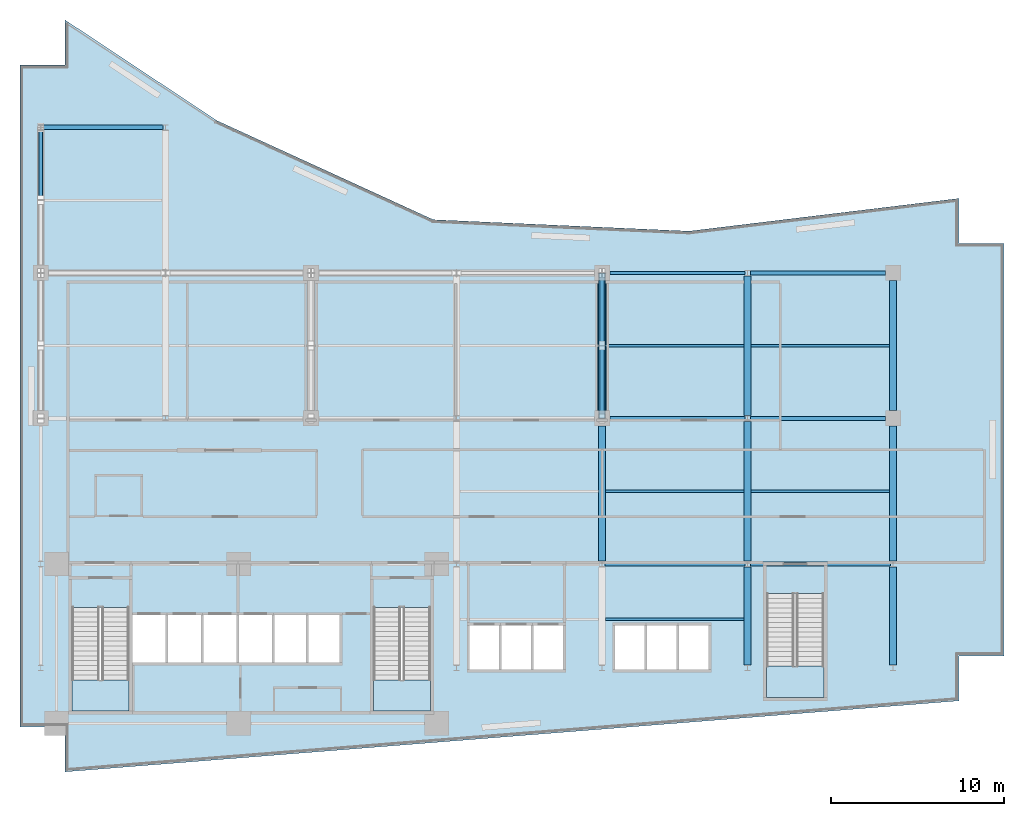
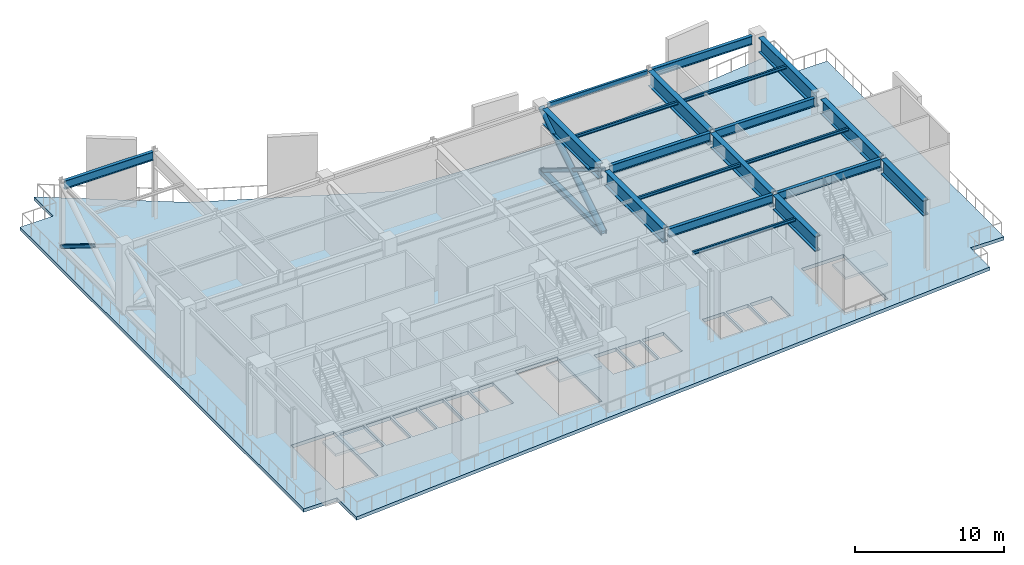
# One storey, part 4 of 14: 20 beams, 5 members, 4 slabs, 3 elements without a shape of their own.
"""IFC4 building model written with IfcOpenShell, lengths in metres."""

from ifc_helpers import new_model, si_unit, direction, frame, origin, origin_2d, place, context, subcontext, project, spatial, polyline, hollow_rectangle, hollow_circle, i_section, outline, extrude, material, layer, layer_set, material_profile, profile_set, type_object, element, aggregate, save


model = new_model("IFC4")

# Units and contexts
model_context = context("Model", 3, precision=1e-05, world=origin(), true_north=direction((0.0, 1.0)))
body_context = subcontext(model_context, "Body", "Model", "MODEL_VIEW")
ifc_project = project(units=[si_unit("LENGTHUNIT", "METRE"), si_unit("AREAUNIT", "SQUARE_METRE"), si_unit("VOLUMEUNIT", "CUBIC_METRE"), si_unit("PLANEANGLEUNIT", "RADIAN"), si_unit("MASSUNIT", "GRAM", prefix="KILO")], contexts=[model_context])

# Site, building, storey
site_placement = place(None, origin())
site = spatial("IfcSite", under=ifc_project, at=site_placement, CompositionType="ELEMENT")
building_placement = place(site_placement, origin())
building = spatial("IfcBuilding", under=site, at=building_placement, Name="Varnakote Quay Hospital", CompositionType="ELEMENT")
storey_placement = place(building_placement, frame((0.0, 0.0, 97.550048828125)))
storey = spatial("IfcBuildingStorey", under=building, at=storey_placement, Name="L24", CompositionType="ELEMENT", Elevation=97.550048828125)

# Beams
ifc_material_1 = material(Name="Structural steel AS/NZS 3678 Grade 350 (fy 340 MPa)", Category="steel")
ifc_material_profile_1 = material_profile(ifc_material_1, i_section(OverallWidth=0.39990234375, OverallDepth=1.2099609375, WebThickness=0.01611328125, FlangeThickness=0.0400390625, at=origin_2d()), Name="1200WB392")
ifc_profile_set_1 = profile_set([ifc_material_profile_1], Name="Structural steel AS/NZS 3678 Grade 350 (fy 340 MPa)")
beam_type_1 = type_object("IfcBeamType", Name="BM-STL-1200WB392", PredefinedType="BEAM", material=ifc_profile_set_1)
beam_1_placement = place(storey_placement, frame((33.60009765625, 12.16357421875, 4.954833984375), z_axis=(0.0, 1.0, 0.0), x_axis=(-1.0, 0.0, 0.0)))
element("IfcBeam", 1, at=beam_1_placement, inside=storey, type_object=beam_type_1, Name="L24 Primary Tie Beam", PredefinedType="BEAM", context=body_context, shape_type="SweptSolid", body=[
    extrude(i_section(OverallWidth=0.39990234375, OverallDepth=1.2099609375, WebThickness=0.01611328125, FlangeThickness=0.0400390625, at=origin_2d()), origin(), (0.0, 0.0, 1.0), 7.786376953125),
])
beam_2_placement = place(storey_placement, frame((33.60009765625, 20.85009765625, 4.954833984375), z_axis=(0.0, 1.0, 0.0), x_axis=(-1.0, 0.0, 0.0)))
element("IfcBeam", 2, at=beam_2_placement, inside=storey, type_object=beam_type_1, Name="L24 Primary Tie Beam", PredefinedType="BEAM", context=body_context, shape_type="SweptSolid", body=[
    extrude(i_section(OverallWidth=0.39990234375, OverallDepth=1.2099609375, WebThickness=0.01611328125, FlangeThickness=0.0400390625, at=origin_2d()), origin(), (0.0, 0.0, 1.0), 7.5),
])
beam_3_placement = place(storey_placement, frame((42.0, 6.16357421875, 4.954833984375), z_axis=(0.0, 1.0, 0.0), x_axis=(-1.0, 0.0, 0.0)))
element("IfcBeam", 3, at=beam_3_placement, inside=storey, type_object=beam_type_1, Name="L24 Primary Tie Beam", PredefinedType="BEAM", context=body_context, shape_type="SweptSolid", body=[
    extrude(i_section(OverallWidth=0.39990234375, OverallDepth=1.2099609375, WebThickness=0.01611328125, FlangeThickness=0.0400390625, at=origin_2d()), origin(), (0.0, 0.0, 1.0), 5.6728515625),
])
for number, where, z_axis, x_axis, name in (
    (4, (42.0, 12.16357421875, 4.954833984375), (0.0, 1.0, 0.0), (-1.0, 0.0, 0.0), "L24 Primary Tie Beam"),
    (5, (42.0, 20.5634765625, 4.954833984375), (0.0, 1.0, 0.0), (-1.0, 0.0, 0.0), "L24 Primary Tie Beam"),
):
    element("IfcBeam", number, at=place(storey_placement, frame(where, z_axis=z_axis, x_axis=x_axis)), inside=storey, type_object=beam_type_1, Name=name, PredefinedType="BEAM", context=body_context, shape_type="SweptSolid", body=[
        extrude(i_section(OverallWidth=0.39990234375, OverallDepth=1.2099609375, WebThickness=0.01611328125, FlangeThickness=0.0400390625, at=origin_2d()), origin(), (0.0, 0.0, 1.0), 8.072998046875),
    ])
beam_4_placement = place(storey_placement, frame((50.39990234375, 6.16357421875, 4.954833984375), z_axis=(0.0, 1.0, 0.0), x_axis=(-1.0, 0.0, 0.0)))
element("IfcBeam", 6, at=beam_4_placement, inside=storey, type_object=beam_type_1, Name="L24 Primary Tie Beam", PredefinedType="BEAM", context=body_context, shape_type="SweptSolid", body=[
    extrude(i_section(OverallWidth=0.39990234375, OverallDepth=1.2099609375, WebThickness=0.01611328125, FlangeThickness=0.0400390625, at=origin_2d()), origin(), (0.0, 0.0, 1.0), 5.6728515625),
])
beam_5_placement = place(storey_placement, frame((50.39990234375, 12.16357421875, 4.954833984375), z_axis=(0.0, 1.0, 0.0), x_axis=(-1.0, 0.0, 0.0)))
element("IfcBeam", 7, at=beam_5_placement, inside=storey, type_object=beam_type_1, Name="L24 Primary Tie Beam", PredefinedType="BEAM", context=body_context, shape_type="SweptSolid", body=[
    extrude(i_section(OverallWidth=0.39990234375, OverallDepth=1.2099609375, WebThickness=0.01611328125, FlangeThickness=0.0400390625, at=origin_2d()), origin(), (0.0, 0.0, 1.0), 7.786376953125),
])
beam_6_placement = place(storey_placement, frame((50.39990234375, 20.85009765625, 4.954833984375), z_axis=(0.0, 1.0, 0.0), x_axis=(-1.0, 0.0, 0.0)))
element("IfcBeam", 8, at=beam_6_placement, inside=storey, type_object=beam_type_1, Name="L24 Primary Tie Beam", PredefinedType="BEAM", context=body_context, shape_type="SweptSolid", body=[
    extrude(i_section(OverallWidth=0.39990234375, OverallDepth=1.2099609375, WebThickness=0.01611328125, FlangeThickness=0.0400390625, at=origin_2d()), origin(), (0.0, 0.0, 1.0), 7.5),
])
ifc_material_2 = material(Name="Structural steel AS/NZS 3678 Grade 350 (fy 340 MPa)", Category="steel")
ifc_material_profile_2 = material_profile(ifc_material_2, i_section(OverallWidth=0.25, OverallDepth=0.699951171875, WebThickness=0.010009765625, FlangeThickness=0.02001953125, at=origin_2d()), Name="700WB130")
ifc_profile_set_2 = profile_set([ifc_material_profile_2], Name="Structural steel AS/NZS 3678 Grade 350 (fy 340 MPa)")
beam_type_2 = type_object("IfcBeamType", Name="BM-STL-700WB130", PredefinedType="BEAM", material=ifc_profile_set_2)
for number, where, z_axis, x_axis, name in (
    (9, (33.755615234375, 12.0, 5.2099609375), (1.0, 0.0, 0.0), (0.0, 1.0, 0.0), "L24 Primary Floor Beam"),
    (10, (42.155517578125, 12.0, 5.2099609375), (1.0, 0.0, 0.0), (0.0, 1.0, 0.0), "L24 Primary Floor Beam"),
):
    element("IfcBeam", number, at=place(storey_placement, frame(where, z_axis=z_axis, x_axis=x_axis)), inside=storey, type_object=beam_type_2, Name=name, PredefinedType="BEAM", context=body_context, shape_type="SweptSolid", body=[
        extrude(i_section(OverallWidth=0.25, OverallDepth=0.699951171875, WebThickness=0.010009765625, FlangeThickness=0.02001953125, at=origin_2d()), origin(), (0.0, 0.0, 1.0), 8.0888671875),
    ])
for number, where, z_axis, x_axis, name in (
    (11, (34.050048828125, 20.39990234375, 5.2099609375), (1.0, 0.0, 0.0), (0.0, 1.0, 0.0), "L24 Primary Floor Beam"),
    (12, (42.155517578125, 20.39990234375, 5.2099609375), (1.0, 0.0, 0.0), (0.0, 1.0, 0.0), "L24 Primary Floor Beam"),
    (13, (42.155517578125, 28.800048828125, 5.2099609375), (1.0, 0.0, 0.0), (0.0, 1.0, 0.0), "L24 Primary Floor Beam"),
):
    element("IfcBeam", number, at=place(storey_placement, frame(where, z_axis=z_axis, x_axis=x_axis)), inside=storey, type_object=beam_type_2, Name=name, PredefinedType="BEAM", context=body_context, shape_type="SweptSolid", body=[
        extrude(i_section(OverallWidth=0.25, OverallDepth=0.699951171875, WebThickness=0.010009765625, FlangeThickness=0.02001953125, at=origin_2d()), origin(), (0.0, 0.0, 1.0), 7.79443359375),
    ])
beam_7_placement = place(storey_placement, frame((1.35546875, 37.199951171875, 5.2099609375), z_axis=(1.0, 0.0, 0.0), x_axis=(0.0, 1.0, 0.0)))
element("IfcBeam", 14, at=beam_7_placement, inside=storey, type_object=beam_type_2, Name="L24 Primary Floor Beam", PredefinedType="BEAM", context=body_context, shape_type="SweptSolid", body=[
    extrude(i_section(OverallWidth=0.25, OverallDepth=0.699951171875, WebThickness=0.010009765625, FlangeThickness=0.02001953125, at=origin_2d()), origin(), (0.0, 0.0, 1.0), 6.888916015625),
])
ifc_material_3 = material(Name="Structural steel AS/NZS 3679.1 Grade 350 L0 (fy 340 MPa)", Category="steel")
ifc_material_profile_3 = material_profile(ifc_material_3, i_section(OverallWidth=0.14599609375, OverallDepth=0.256103515625, WebThickness=0.00634765625, FlangeThickness=0.010986328125, FilletRadius=0.0087890625, at=origin_2d()), Name="250UB37.3")
ifc_profile_set_3 = profile_set([ifc_material_profile_3], Name="Structural steel AS/NZS 3679.1 Grade 350 L0 (fy 340 MPa)")
beam_type_3 = type_object("IfcBeamType", Name="JST-STL-250UB37-3", PredefinedType="JOIST", material=ifc_profile_set_3)
for number, where, z_axis, x_axis, name in (
    (15, (33.800048828125, 8.800048828125, 5.431884765625), (1.0, 0.0, 0.0), (0.0, 1.0, 0.0), "L24 Composite Floor Joist"),
    (16, (33.800048828125, 16.199951171875, 5.431884765625), (1.0, 0.0, 0.0), (0.0, 1.0, 0.0), "L24 Composite Floor Joist"),
    (17, (42.199951171875, 16.199951171875, 5.431884765625), (1.0, 0.0, 0.0), (0.0, 1.0, 0.0), "L24 Composite Floor Joist"),
    (18, (33.800048828125, 24.60009765625, 5.431884765625), (1.0, 0.0, 0.0), (0.0, 1.0, 0.0), "L24 Composite Floor Joist"),
    (19, (42.199951171875, 24.60009765625, 5.431884765625), (1.0, 0.0, 0.0), (0.0, 1.0, 0.0), "L24 Composite Floor Joist"),
):
    element("IfcBeam", number, at=place(storey_placement, frame(where, z_axis=z_axis, x_axis=x_axis)), inside=storey, type_object=beam_type_3, Name=name, PredefinedType="JOIST", context=body_context, shape_type="SweptSolid", body=[
        extrude(i_section(OverallWidth=0.14599609375, OverallDepth=0.256103515625, WebThickness=0.00634765625, FlangeThickness=0.010986328125, FilletRadius=0.0087890625, at=origin_2d()), origin(), (0.0, 0.0, 1.0), 8.0),
    ])

# Members
ifc_material_4 = material(Name="Structural steel AS/NZS 1163 Grade 350 C350L0 (fy 350 MPa)", Category="steel")
ifc_material_profile_4 = material_profile(ifc_material_4, hollow_circle(Radius=0.228515625, WallThickness=0.01611328125, at=origin_2d()), Name="457.0x16.0CHS")
ifc_profile_set_4 = profile_set([ifc_material_profile_4], Name="Structural steel AS/NZS 1163 Grade 350 C350L0 (fy 350 MPa)")
member_type_1 = type_object("IfcMemberType", Name="MBR-BRC-457-0x16-0CHS", PredefinedType="BRACE", material=ifc_profile_set_4)
member_1_placement = place(storey_placement, frame((33.60009765625, 20.39990234375, 0.179931640625), z_axis=(0.0, 0.850271466459, 0.526344405618), x_axis=(-1.0, 0.0, 0.0)))
element("IfcMember", 20, at=member_1_placement, inside=storey, type_object=member_type_1, Name="L24 Outrigger Truss Continuous Primary Diagonal Brace", PredefinedType="BRACE", context=body_context, shape_type="SweptSolid", body=[
    extrude(hollow_circle(Radius=0.228515625, WallThickness=0.01611328125, at=origin_2d()), origin(), (0.0, 0.0, 1.0), 9.87939453125),
])
ifc_material_5 = material(Name="Structural steel AS/NZS 1163 Grade 350 C350L0 (fy 350 MPa)", Category="steel")
ifc_material_profile_5 = material_profile(ifc_material_5, hollow_rectangle(XDim=0.39990234375, YDim=0.39990234375, WallThickness=0.01611328125, InnerFilletRadius=0.01611328125, OuterFilletRadius=0.031982421875, at=origin_2d()), Name="400x400x16.0SHS")
ifc_profile_set_5 = profile_set([ifc_material_profile_5], Name="Structural steel AS/NZS 1163 Grade 350 C350L0 (fy 350 MPa)")
member_type_2 = type_object("IfcMemberType", Name="MBR-CHD-400x400x16-0SHS", PredefinedType="CHORD", material=ifc_profile_set_5)
member_2_placement = place(storey_placement, frame((33.60009765625, 20.39990234375, 0.179931640625), z_axis=(0.0, 1.0, 0.0), x_axis=(-1.0, 0.0, 0.0)))
element("IfcMember", 21, at=member_2_placement, inside=storey, type_object=member_type_2, Name="L24 Outrigger Truss Bottom Chord", PredefinedType="CHORD", context=body_context, shape_type="SweptSolid", body=[
    extrude(hollow_rectangle(XDim=0.39990234375, YDim=0.39990234375, WallThickness=0.01611328125, InnerFilletRadius=0.01611328125, OuterFilletRadius=0.031982421875, at=origin_2d()), origin(), (0.0, 0.0, 1.0), 8.400146484375),
])
ifc_material_6 = material(Name="Structural steel AS/NZS 1163 Grade 350 C350L0 (fy 350 MPa)", Category="steel")
ifc_material_profile_6 = material_profile(ifc_material_6, hollow_rectangle(XDim=0.25, YDim=0.25, WallThickness=0.012451171875, InnerFilletRadius=0.012451171875, OuterFilletRadius=0.02490234375, at=origin_2d()), Name="250x250x12.5SHS")
ifc_profile_set_6 = profile_set([ifc_material_profile_6], Name="Structural steel AS/NZS 1163 Grade 350 C350L0 (fy 350 MPa)")
member_type_3 = type_object("IfcMemberType", Name="MBR-PST-250x250x12-5SHS", PredefinedType="POST", material=ifc_profile_set_6)
for number, where, z_axis, x_axis, name in (
    (22, (1.199951171875, 37.199951171875, 0.179931640625), (0.0, -0.85025356003, 0.526373331065), (1.0, 0.0, 0.0), "L24 Outrigger Truss Split Lower Counter Brace"),
    (23, (33.60009765625, 28.800048828125, 0.179931640625), (0.0, -0.85025356003, 0.526373331065), (1.0, 0.0, 0.0), "L24 Outrigger Truss Split Lower Counter Brace"),
    (24, (33.60009765625, 24.60009765625, 2.780029296875), (0.0, -0.850289371618, 0.526315480025), (1.0, 0.0, 0.0), "L24 Outrigger Truss Split Upper Counter Brace"),
):
    element("IfcMember", number, at=place(storey_placement, frame(where, z_axis=z_axis, x_axis=x_axis)), inside=storey, type_object=member_type_3, Name=name, PredefinedType="POST", context=body_context, shape_type="SweptSolid", body=[
        extrude(hollow_rectangle(XDim=0.25, YDim=0.25, WallThickness=0.012451171875, InnerFilletRadius=0.012451171875, OuterFilletRadius=0.02490234375, at=origin_2d()), origin(), (0.0, 0.0, 1.0), 4.939697265625),
    ])

# Beam
ifc_material_7 = material(Name="Structural steel AS/NZS 3679.1 Grade 350 L0 (fy 340 MPa)", Category="steel")
ifc_material_profile_7 = material_profile(ifc_material_7, i_section(OverallWidth=0.177978515625, OverallDepth=0.406005859375, WebThickness=0.0078125, FlangeThickness=0.0126953125, FilletRadius=0.011474609375, at=origin_2d()), Name="410UB59.7")
ifc_profile_set_7 = profile_set([ifc_material_profile_7], Name="Structural steel AS/NZS 3679.1 Grade 350 L0 (fy 340 MPa)")
beam_type_4 = type_object("IfcBeamType", Name="SPN-STL-410UB59-7", PredefinedType="SPANDREL", material=ifc_profile_set_7)
beam_8_placement = place(storey_placement, frame((34.050048828125, 28.800048828125, 5.35693359375), z_axis=(1.0, 0.0, 0.0), x_axis=(0.0, 1.0, 0.0)))
element("IfcBeam", 25, at=beam_8_placement, inside=storey, type_object=beam_type_4, Name="L24 Perimeter Spandrel Beam", PredefinedType="SPANDREL", context=body_context, shape_type="SweptSolid", body=[
    extrude(i_section(OverallWidth=0.177978515625, OverallDepth=0.406005859375, WebThickness=0.0078125, FlangeThickness=0.0126953125, FilletRadius=0.011474609375, at=origin_2d()), origin(), (0.0, 0.0, 1.0), 7.79443359375),
])

# Slab
ifc_material_8 = material(Name="Concrete N50 (f'c 50 MPa)", Category="concrete")
ifc_layer_1 = layer(ifc_material_8, 0.280029296875)
ifc_layer_set_1 = layer_set([ifc_layer_1], Name="Concrete N50 (f'c 50 MPa)")
slab_type_1 = type_object("IfcSlabType", Name="SLB-PLANT-280", PredefinedType="FLOOR", material=ifc_layer_set_1)
slab_1_placement = place(storey_placement, frame((0.0, 0.0, -0.280029296875)))
element("IfcSlab", 26, at=slab_1_placement, inside=storey, type_object=slab_type_1, Name="L24 Primary Floor Slab", PredefinedType="FLOOR", context=body_context, shape_type="SweptSolid", body=[
    extrude(outline(polyline([(0.0, 2.60009765625), (2.60009765625, 2.60009765625), (2.60009765625, 0.0), (54.199951171875, 4.10009765625), (54.199951171875, 6.699951171875), (56.800048828125, 6.699951171875), (56.800048828125, 30.5), (54.199951171875, 30.5), (54.199951171875, 33.10009765625), (38.6240234375, 31.2119140625), (23.85595703125, 31.8740234375), (11.360107421875, 37.595947265625), (2.60009765625, 43.39990234375), (2.60009765625, 40.800048828125), (0.0, 40.800048828125), (0.0, 2.60009765625)]), holes=[polyline([(3.0, 3.5), (6.300048828125, 3.5), (6.300048828125, 9.49951171875), (3.0, 9.49951171875), (3.0, 3.5)]), polyline([(20.39990234375, 3.5), (23.699951171875, 3.5), (23.699951171875, 9.49951171875), (20.39990234375, 9.49951171875), (20.39990234375, 3.5)]), polyline([(43.10009765625, 4.300048828125), (46.39990234375, 4.300048828125), (46.39990234375, 10.29931640625), (43.10009765625, 10.29931640625), (43.10009765625, 4.300048828125)]), polyline([(6.5, 6.300048828125), (8.39990234375, 6.300048828125), (8.39990234375, 9.050048828125), (6.5, 9.050048828125), (6.5, 6.300048828125)]), polyline([(8.550048828125, 6.300048828125), (10.449951171875, 6.300048828125), (10.449951171875, 9.050048828125), (8.550048828125, 9.050048828125), (8.550048828125, 6.300048828125)]), polyline([(10.60009765625, 6.300048828125), (12.5, 6.300048828125), (12.5, 9.050048828125), (10.60009765625, 9.050048828125), (10.60009765625, 6.300048828125)]), polyline([(12.64990234375, 6.300048828125), (14.550048828125, 6.300048828125), (14.550048828125, 9.050048828125), (12.64990234375, 9.050048828125), (12.64990234375, 6.300048828125)]), polyline([(14.699951171875, 6.300048828125), (16.5, 6.300048828125), (16.5, 9.050048828125), (14.699951171875, 9.050048828125), (14.699951171875, 6.300048828125)]), polyline([(16.64990234375, 6.300048828125), (18.449951171875, 6.300048828125), (18.449951171875, 9.050048828125), (16.64990234375, 9.050048828125), (16.64990234375, 6.300048828125)]), polyline([(25.949951171875, 5.89990234375), (27.64990234375, 5.89990234375), (27.64990234375, 8.449951171875), (25.949951171875, 8.449951171875), (25.949951171875, 5.89990234375)]), polyline([(27.800048828125, 5.89990234375), (29.5, 5.89990234375), (29.5, 8.449951171875), (27.800048828125, 8.449951171875), (27.800048828125, 5.89990234375)]), polyline([(29.64990234375, 5.89990234375), (31.35009765625, 5.89990234375), (31.35009765625, 8.449951171875), (29.64990234375, 8.449951171875), (29.64990234375, 5.89990234375)]), polyline([(34.35009765625, 5.89990234375), (36.050048828125, 5.89990234375), (36.050048828125, 8.449951171875), (34.35009765625, 8.449951171875), (34.35009765625, 5.89990234375)]), polyline([(36.199951171875, 5.89990234375), (37.89990234375, 5.89990234375), (37.89990234375, 8.449951171875), (36.199951171875, 8.449951171875), (36.199951171875, 5.89990234375)]), polyline([(38.050048828125, 5.89990234375), (39.75, 5.89990234375), (39.75, 8.449951171875), (38.050048828125, 8.449951171875), (38.050048828125, 5.89990234375)])]), origin(), (0.0, 0.0, 1.0), 0.280029296875),
])

# Stair, slab
ifc_material_9 = material(Name="Concrete N40 (f'c 40 MPa)", Category="concrete")
stair_type = type_object("IfcStairType", Name="STR-CORE-1580", PredefinedType="HALF_TURN_STAIR", material=ifc_material_9)
stair_1_placement = place(storey_placement, origin())
stair_1 = element("IfcStair", 27, at=stair_1_placement, inside=storey, type_object=stair_type, Name="L24 Fire-Isolated Exit Stair ST-01", PredefinedType="HALF_TURN_STAIR")
ifc_material_10 = material(Name="Concrete N40 (f'c 40 MPa)", Category="concrete")
ifc_layer_2 = layer(ifc_material_10, 0.199951171875)
ifc_layer_set_2 = layer_set([ifc_layer_2], Name="Concrete N40 (f'c 40 MPa)")
slab_type_2 = type_object("IfcSlabType", Name="SLB-STAIR-LND-200", PredefinedType="LANDING", material=ifc_layer_set_2)
slab_2_placement = place(storey_placement, frame((0.0, 0.0, 2.699951171875)))
slab_2 = element("IfcSlab", 28, at=slab_2_placement, type_object=slab_type_2, Name="ST-01 landing 1", PredefinedType="LANDING", context=body_context, shape_type="SweptSolid", body=[
    extrude(outline(polyline([(3.0, 5.300048828125), (3.0, 3.5), (6.300048828125, 3.5), (6.300048828125, 5.300048828125), (3.0, 5.300048828125)])), origin(), (0.0, 0.0, 1.0), 0.199951171875),
])
aggregate(stair_1, [slab_2])

stair_2_placement = place(storey_placement, origin())
stair_2 = element("IfcStair", 29, at=stair_2_placement, inside=storey, type_object=stair_type, Name="L24 Fire-Isolated Exit Stair ST-02", PredefinedType="HALF_TURN_STAIR")
slab_3_placement = place(storey_placement, frame((0.0, 0.0, 2.699951171875)))
slab_3 = element("IfcSlab", 30, at=slab_3_placement, type_object=slab_type_2, Name="ST-02 landing 1", PredefinedType="LANDING", context=body_context, shape_type="SweptSolid", body=[
    extrude(outline(polyline([(20.39990234375, 5.300048828125), (20.39990234375, 3.5), (23.699951171875, 3.5), (23.699951171875, 5.300048828125), (20.39990234375, 5.300048828125)])), origin(), (0.0, 0.0, 1.0), 0.199951171875),
])
aggregate(stair_2, [slab_3])

stair_3_placement = place(storey_placement, origin())
stair_3 = element("IfcStair", 31, at=stair_3_placement, inside=storey, type_object=stair_type, Name="L24 Fire-Isolated Exit Stair ST-03", PredefinedType="HALF_TURN_STAIR")
slab_4_placement = place(storey_placement, frame((0.0, 0.0, 2.699951171875)))
slab_4 = element("IfcSlab", 32, at=slab_4_placement, type_object=slab_type_2, Name="ST-03 landing 1", PredefinedType="LANDING", context=body_context, shape_type="SweptSolid", body=[
    extrude(outline(polyline([(43.10009765625, 6.10009765625), (43.10009765625, 4.300048828125), (46.39990234375, 4.300048828125), (46.39990234375, 6.10009765625), (43.10009765625, 6.10009765625)])), origin(), (0.0, 0.0, 1.0), 0.199951171875),
])
aggregate(stair_3, [slab_4])

save(model, "model.ifc")
